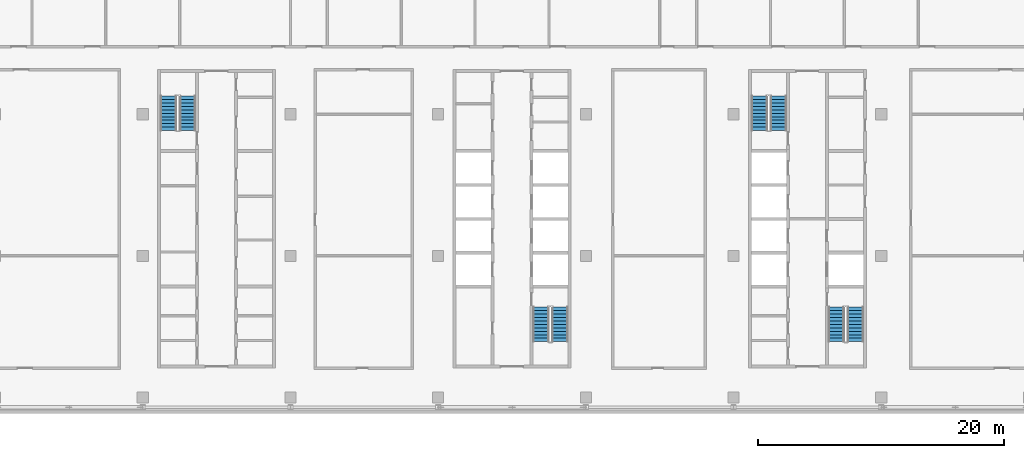
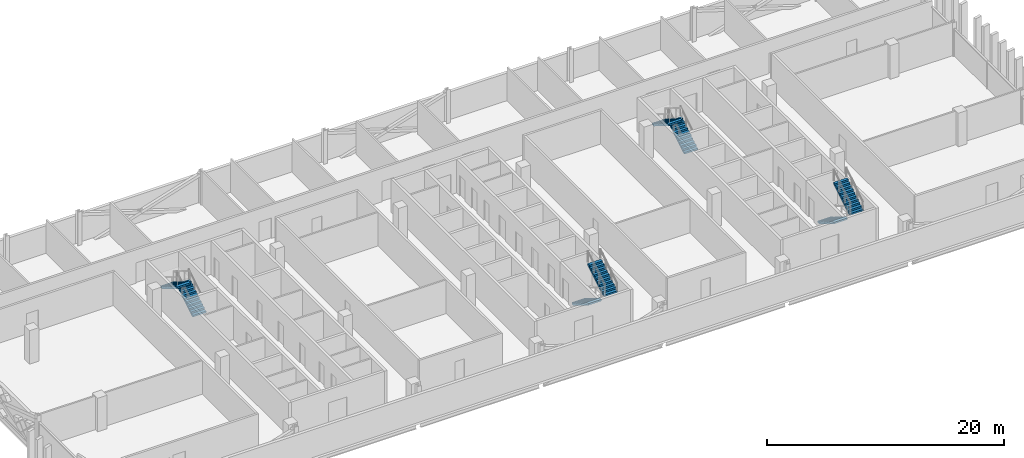
# One storey, part 16 of 25: 8 stair flights, 4 elements without a shape of their own.
"""IFC4 building model written with IfcOpenShell, lengths in metres."""

from ifc_helpers import new_model, si_unit, direction, frame, origin, place, context, subcontext, project, spatial, polyline, outline, extrude, material, type_object, element, aggregate, save


model = new_model("IFC4")

# Units and contexts
model_context = context("Model", 3, precision=1e-05, world=origin(), true_north=direction((0.0, 1.0)))
body_context = subcontext(model_context, "Body", "Model", "MODEL_VIEW")
ifc_project = project(units=[si_unit("LENGTHUNIT", "METRE"), si_unit("AREAUNIT", "SQUARE_METRE"), si_unit("VOLUMEUNIT", "CUBIC_METRE"), si_unit("PLANEANGLEUNIT", "RADIAN"), si_unit("MASSUNIT", "GRAM", prefix="KILO")], contexts=[model_context])

# Site, building, storey
site_placement = place(None, origin())
site = spatial("IfcSite", under=ifc_project, at=site_placement, CompositionType="ELEMENT")
building_placement = place(site_placement, origin())
building = spatial("IfcBuilding", under=site, at=building_placement, Name="Mahtab Terrace Research Tower", CompositionType="ELEMENT")
storey_placement = place(building_placement, frame((0.0, 0.0, 278.5)))
storey = spatial("IfcBuildingStorey", under=building, at=storey_placement, Name="L68", CompositionType="ELEMENT", Elevation=278.5)

# Stair, stair flights
ifc_material_1 = material(Name="Exit stair half-turn")
stair_type = type_object("IfcStairType", Name="Exit stair half-turn", PredefinedType="HALF_TURN_STAIR", material=ifc_material_1)
stair_1_placement = place(storey_placement, origin())
stair_1 = element("IfcStair", 1, at=stair_1_placement, inside=storey, type_object=stair_type, Name="L68 Protected exit stair ST1", PredefinedType="HALF_TURN_STAIR")
ifc_material_2 = material(Name="Concrete C40/50", Category="concrete")
stair_flight_type = type_object("IfcStairFlightType", Name="Exit stair flight 1300", PredefinedType="STRAIGHT", material=ifc_material_2)
stair_flight_1_placement = place(storey_placement, frame((-26.35009765625, 10.175048828125, 0.0), z_axis=(0.0, 0.0, 1.0), x_axis=(0.0, 1.0, 0.0)))
stair_flight_1 = element("IfcStairFlight", 2, at=stair_flight_1_placement, type_object=stair_flight_type, Name="ST1 flight 1", NumberOfRisers=11, NumberOfTreads=10, PredefinedType="STRAIGHT", RiserHeight=0.172727273, TreadLength=0.28, context=body_context, shape_type="SweptSolid", body=[
    extrude(outline(polyline([(0.0, 0.0), (0.0, 0.172607421875), (0.280029296875, 0.172607421875), (0.280029296875, 0.345458984375), (0.56005859375, 0.345458984375), (0.56005859375, 0.51806640625), (0.840087890625, 0.51806640625), (0.840087890625, 0.69091796875), (1.1201171875, 0.69091796875), (1.1201171875, 0.863525390625), (1.39990234375, 0.863525390625), (1.39990234375, 1.036376953125), (1.679931640625, 1.036376953125), (1.679931640625, 1.208984375), (1.9599609375, 1.208984375), (1.9599609375, 1.3818359375), (2.239990234375, 1.3818359375), (2.239990234375, 1.554443359375), (2.52001953125, 1.554443359375), (2.52001953125, 1.727294921875), (2.800048828125, 1.727294921875), (2.800048828125, 1.89990234375), (2.800048828125, 1.551025390625), (0.285400390625, 0.0), (0.0, 0.0)])), frame((0.0, 0.64990234375, 0.0), z_axis=(0.0, -1.0, 0.0), x_axis=(1.0, 0.0, 0.0)), (0.0, 0.0, 1.0), 1.300048828125),
])
stair_flight_2_placement = place(storey_placement, frame((-27.89990234375, 12.97509765625, 1.89990234375), z_axis=(0.0, 0.0, 1.0), x_axis=(0.0, -1.0, 0.0)))
stair_flight_2 = element("IfcStairFlight", 3, at=stair_flight_2_placement, type_object=stair_flight_type, Name="ST1 flight 2", NumberOfRisers=11, NumberOfTreads=10, PredefinedType="STRAIGHT", RiserHeight=0.172727273, TreadLength=0.28, context=body_context, shape_type="SweptSolid", body=[
    extrude(outline(polyline([(0.0, 0.0), (0.0, 0.172607421875), (0.280029296875, 0.172607421875), (0.280029296875, 0.345458984375), (0.56005859375, 0.345458984375), (0.56005859375, 0.51806640625), (0.840087890625, 0.51806640625), (0.840087890625, 0.69091796875), (1.1201171875, 0.69091796875), (1.1201171875, 0.863525390625), (1.39990234375, 0.863525390625), (1.39990234375, 1.036376953125), (1.679931640625, 1.036376953125), (1.679931640625, 1.208984375), (1.9599609375, 1.208984375), (1.9599609375, 1.3818359375), (2.239990234375, 1.3818359375), (2.239990234375, 1.554443359375), (2.52001953125, 1.554443359375), (2.52001953125, 1.727294921875), (2.800048828125, 1.727294921875), (2.800048828125, 1.89990234375), (2.800048828125, 1.551025390625), (0.285400390625, 0.0), (0.0, 0.0)])), frame((0.0, 0.64990234375, 0.0), z_axis=(0.0, -1.0, 0.0), x_axis=(1.0, 0.0, 0.0)), (0.0, 0.0, 1.0), 1.300048828125),
])
aggregate(stair_1, [stair_flight_1, stair_flight_2])

stair_2_placement = place(storey_placement, origin())
stair_2 = element("IfcStair", 4, at=stair_2_placement, inside=storey, type_object=stair_type, Name="L68 Protected exit stair ST2", PredefinedType="HALF_TURN_STAIR")
stair_flight_3_placement = place(storey_placement, frame((2.35009765625, -4.175048828125, 0.0), z_axis=(0.0, 0.0, 1.0), x_axis=(0.0, -1.0, 0.0)))
stair_flight_3 = element("IfcStairFlight", 5, at=stair_flight_3_placement, type_object=stair_flight_type, Name="ST2 flight 1", NumberOfRisers=11, NumberOfTreads=10, PredefinedType="STRAIGHT", RiserHeight=0.172727273, TreadLength=0.28, context=body_context, shape_type="SweptSolid", body=[
    extrude(outline(polyline([(0.0, 0.0), (0.0, 0.172607421875), (0.280029296875, 0.172607421875), (0.280029296875, 0.345458984375), (0.56005859375, 0.345458984375), (0.56005859375, 0.51806640625), (0.840087890625, 0.51806640625), (0.840087890625, 0.69091796875), (1.1201171875, 0.69091796875), (1.1201171875, 0.863525390625), (1.39990234375, 0.863525390625), (1.39990234375, 1.036376953125), (1.679931640625, 1.036376953125), (1.679931640625, 1.208984375), (1.9599609375, 1.208984375), (1.9599609375, 1.3818359375), (2.239990234375, 1.3818359375), (2.239990234375, 1.554443359375), (2.52001953125, 1.554443359375), (2.52001953125, 1.727294921875), (2.800048828125, 1.727294921875), (2.800048828125, 1.89990234375), (2.800048828125, 1.551025390625), (0.285400390625, 0.0), (0.0, 0.0)])), frame((0.0, 0.64990234375, 0.0), z_axis=(0.0, -1.0, 0.0), x_axis=(1.0, 0.0, 0.0)), (0.0, 0.0, 1.0), 1.300048828125),
])
stair_flight_4_placement = place(storey_placement, frame((3.89990234375, -6.97509765625, 1.89990234375), z_axis=(0.0, 0.0, 1.0), x_axis=(0.0, 1.0, 0.0)))
stair_flight_4 = element("IfcStairFlight", 6, at=stair_flight_4_placement, type_object=stair_flight_type, Name="ST2 flight 2", NumberOfRisers=11, NumberOfTreads=10, PredefinedType="STRAIGHT", RiserHeight=0.172727273, TreadLength=0.28, context=body_context, shape_type="SweptSolid", body=[
    extrude(outline(polyline([(0.0, 0.0), (0.0, 0.172607421875), (0.280029296875, 0.172607421875), (0.280029296875, 0.345458984375), (0.56005859375, 0.345458984375), (0.56005859375, 0.51806640625), (0.840087890625, 0.51806640625), (0.840087890625, 0.69091796875), (1.1201171875, 0.69091796875), (1.1201171875, 0.863525390625), (1.39990234375, 0.863525390625), (1.39990234375, 1.036376953125), (1.679931640625, 1.036376953125), (1.679931640625, 1.208984375), (1.9599609375, 1.208984375), (1.9599609375, 1.3818359375), (2.239990234375, 1.3818359375), (2.239990234375, 1.554443359375), (2.52001953125, 1.554443359375), (2.52001953125, 1.727294921875), (2.800048828125, 1.727294921875), (2.800048828125, 1.89990234375), (2.800048828125, 1.551025390625), (0.285400390625, 0.0), (0.0, 0.0)])), frame((0.0, 0.64990234375, 0.0), z_axis=(0.0, -1.0, 0.0), x_axis=(1.0, 0.0, 0.0)), (0.0, 0.0, 1.0), 1.300048828125),
])
aggregate(stair_2, [stair_flight_3, stair_flight_4])

stair_3_placement = place(storey_placement, origin())
stair_3 = element("IfcStair", 7, at=stair_3_placement, inside=storey, type_object=stair_type, Name="L68 Protected exit stair ST3", PredefinedType="HALF_TURN_STAIR")
stair_flight_5_placement = place(storey_placement, frame((21.64990234375, 10.175048828125, 0.0), z_axis=(0.0, 0.0, 1.0), x_axis=(0.0, 1.0, 0.0)))
stair_flight_5 = element("IfcStairFlight", 8, at=stair_flight_5_placement, type_object=stair_flight_type, Name="ST3 flight 1", NumberOfRisers=11, NumberOfTreads=10, PredefinedType="STRAIGHT", RiserHeight=0.172727273, TreadLength=0.28, context=body_context, shape_type="SweptSolid", body=[
    extrude(outline(polyline([(0.0, 0.0), (0.0, 0.172607421875), (0.280029296875, 0.172607421875), (0.280029296875, 0.345458984375), (0.56005859375, 0.345458984375), (0.56005859375, 0.51806640625), (0.840087890625, 0.51806640625), (0.840087890625, 0.69091796875), (1.1201171875, 0.69091796875), (1.1201171875, 0.863525390625), (1.39990234375, 0.863525390625), (1.39990234375, 1.036376953125), (1.679931640625, 1.036376953125), (1.679931640625, 1.208984375), (1.9599609375, 1.208984375), (1.9599609375, 1.3818359375), (2.239990234375, 1.3818359375), (2.239990234375, 1.554443359375), (2.52001953125, 1.554443359375), (2.52001953125, 1.727294921875), (2.800048828125, 1.727294921875), (2.800048828125, 1.89990234375), (2.800048828125, 1.551025390625), (0.285400390625, 0.0), (0.0, 0.0)])), frame((0.0, 0.64990234375, 0.0), z_axis=(0.0, -1.0, 0.0), x_axis=(1.0, 0.0, 0.0)), (0.0, 0.0, 1.0), 1.300048828125),
])
stair_flight_6_placement = place(storey_placement, frame((20.10009765625, 12.97509765625, 1.89990234375), z_axis=(0.0, 0.0, 1.0), x_axis=(0.0, -1.0, 0.0)))
stair_flight_6 = element("IfcStairFlight", 9, at=stair_flight_6_placement, type_object=stair_flight_type, Name="ST3 flight 2", NumberOfRisers=11, NumberOfTreads=10, PredefinedType="STRAIGHT", RiserHeight=0.172727273, TreadLength=0.28, context=body_context, shape_type="SweptSolid", body=[
    extrude(outline(polyline([(0.0, 0.0), (0.0, 0.172607421875), (0.280029296875, 0.172607421875), (0.280029296875, 0.345458984375), (0.56005859375, 0.345458984375), (0.56005859375, 0.51806640625), (0.840087890625, 0.51806640625), (0.840087890625, 0.69091796875), (1.1201171875, 0.69091796875), (1.1201171875, 0.863525390625), (1.39990234375, 0.863525390625), (1.39990234375, 1.036376953125), (1.679931640625, 1.036376953125), (1.679931640625, 1.208984375), (1.9599609375, 1.208984375), (1.9599609375, 1.3818359375), (2.239990234375, 1.3818359375), (2.239990234375, 1.554443359375), (2.52001953125, 1.554443359375), (2.52001953125, 1.727294921875), (2.800048828125, 1.727294921875), (2.800048828125, 1.89990234375), (2.800048828125, 1.551025390625), (0.285400390625, 0.0), (0.0, 0.0)])), frame((0.0, 0.64990234375, 0.0), z_axis=(0.0, -1.0, 0.0), x_axis=(1.0, 0.0, 0.0)), (0.0, 0.0, 1.0), 1.300048828125),
])
aggregate(stair_3, [stair_flight_5, stair_flight_6])

stair_4_placement = place(storey_placement, origin())
stair_4 = element("IfcStair", 10, at=stair_4_placement, inside=storey, type_object=stair_type, Name="L68 Protected exit stair ST4", PredefinedType="HALF_TURN_STAIR")
stair_flight_7_placement = place(storey_placement, frame((26.35009765625, -4.175048828125, 0.0), z_axis=(0.0, 0.0, 1.0), x_axis=(0.0, -1.0, 0.0)))
stair_flight_7 = element("IfcStairFlight", 11, at=stair_flight_7_placement, type_object=stair_flight_type, Name="ST4 flight 1", NumberOfRisers=11, NumberOfTreads=10, PredefinedType="STRAIGHT", RiserHeight=0.172727273, TreadLength=0.28, context=body_context, shape_type="SweptSolid", body=[
    extrude(outline(polyline([(0.0, 0.0), (0.0, 0.172607421875), (0.280029296875, 0.172607421875), (0.280029296875, 0.345458984375), (0.56005859375, 0.345458984375), (0.56005859375, 0.51806640625), (0.840087890625, 0.51806640625), (0.840087890625, 0.69091796875), (1.1201171875, 0.69091796875), (1.1201171875, 0.863525390625), (1.39990234375, 0.863525390625), (1.39990234375, 1.036376953125), (1.679931640625, 1.036376953125), (1.679931640625, 1.208984375), (1.9599609375, 1.208984375), (1.9599609375, 1.3818359375), (2.239990234375, 1.3818359375), (2.239990234375, 1.554443359375), (2.52001953125, 1.554443359375), (2.52001953125, 1.727294921875), (2.800048828125, 1.727294921875), (2.800048828125, 1.89990234375), (2.800048828125, 1.551025390625), (0.285400390625, 0.0), (0.0, 0.0)])), frame((0.0, 0.64990234375, 0.0), z_axis=(0.0, -1.0, 0.0), x_axis=(1.0, 0.0, 0.0)), (0.0, 0.0, 1.0), 1.300048828125),
])
stair_flight_8_placement = place(storey_placement, frame((27.89990234375, -6.97509765625, 1.89990234375), z_axis=(0.0, 0.0, 1.0), x_axis=(0.0, 1.0, 0.0)))
stair_flight_8 = element("IfcStairFlight", 12, at=stair_flight_8_placement, type_object=stair_flight_type, Name="ST4 flight 2", NumberOfRisers=11, NumberOfTreads=10, PredefinedType="STRAIGHT", RiserHeight=0.172727273, TreadLength=0.28, context=body_context, shape_type="SweptSolid", body=[
    extrude(outline(polyline([(0.0, 0.0), (0.0, 0.172607421875), (0.280029296875, 0.172607421875), (0.280029296875, 0.345458984375), (0.56005859375, 0.345458984375), (0.56005859375, 0.51806640625), (0.840087890625, 0.51806640625), (0.840087890625, 0.69091796875), (1.1201171875, 0.69091796875), (1.1201171875, 0.863525390625), (1.39990234375, 0.863525390625), (1.39990234375, 1.036376953125), (1.679931640625, 1.036376953125), (1.679931640625, 1.208984375), (1.9599609375, 1.208984375), (1.9599609375, 1.3818359375), (2.239990234375, 1.3818359375), (2.239990234375, 1.554443359375), (2.52001953125, 1.554443359375), (2.52001953125, 1.727294921875), (2.800048828125, 1.727294921875), (2.800048828125, 1.89990234375), (2.800048828125, 1.551025390625), (0.285400390625, 0.0), (0.0, 0.0)])), frame((0.0, 0.64990234375, 0.0), z_axis=(0.0, -1.0, 0.0), x_axis=(1.0, 0.0, 0.0)), (0.0, 0.0, 1.0), 1.300048828125),
])
aggregate(stair_4, [stair_flight_7, stair_flight_8])

save(model, "model.ifc")
